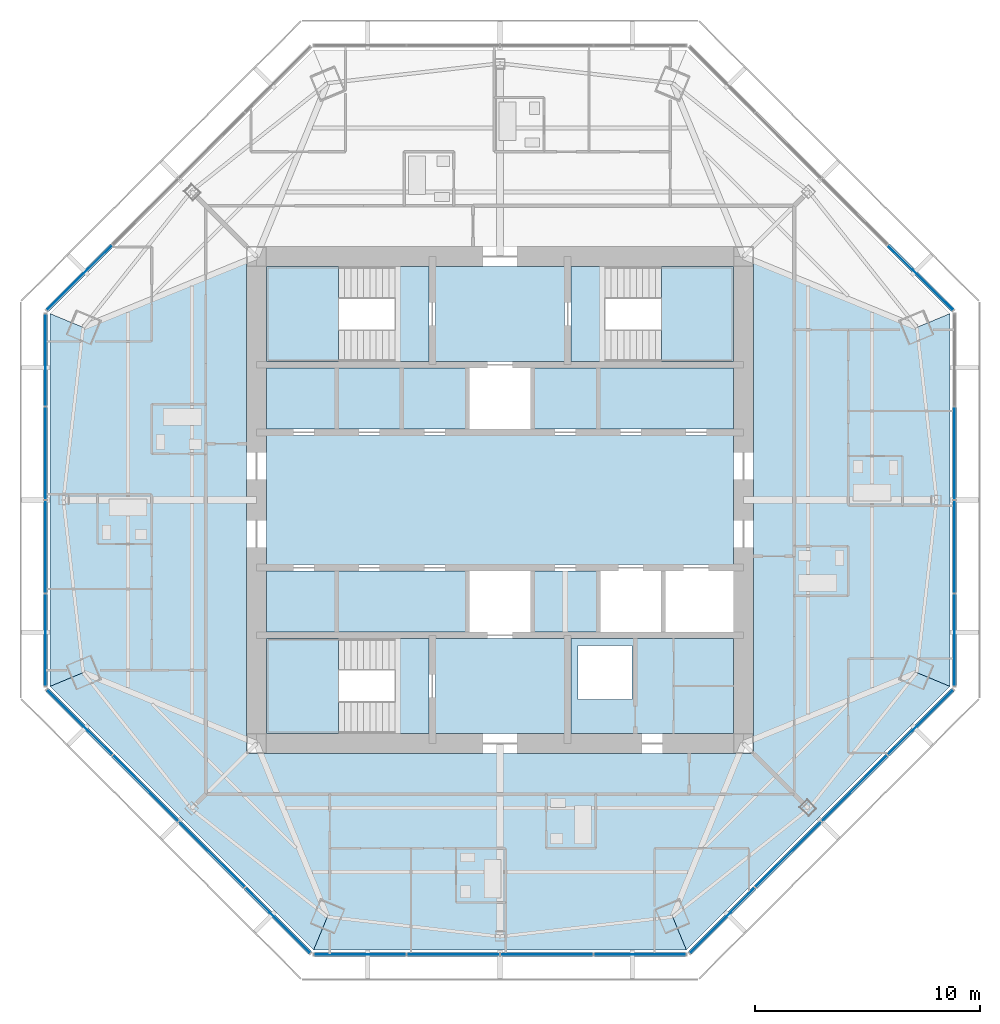
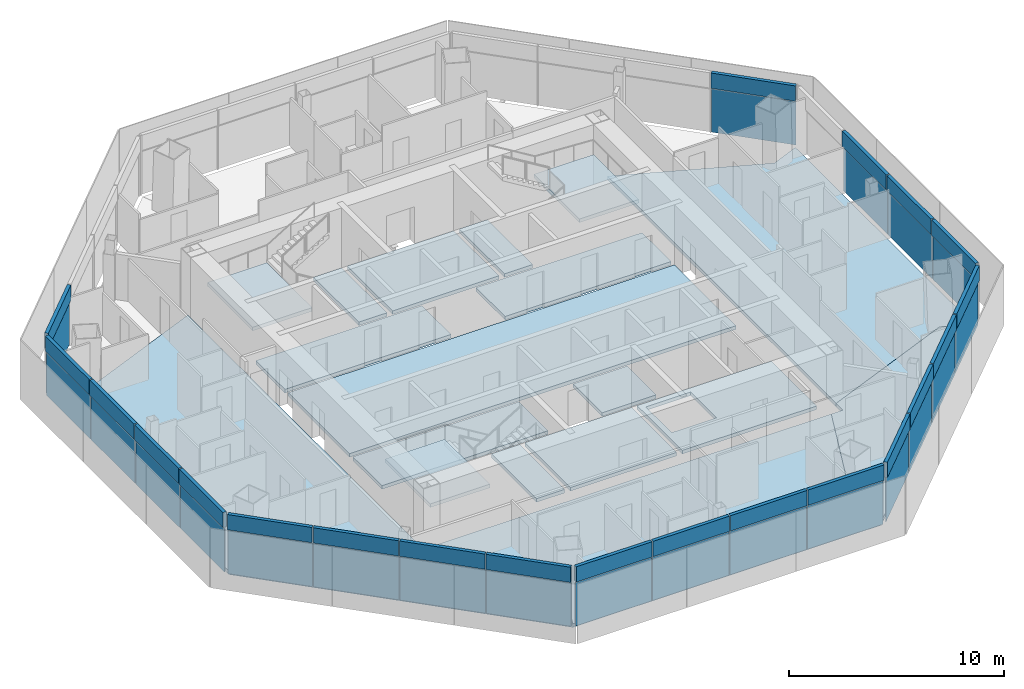
# One storey, part 8 of 15: 42 plates, 19 slabs, 10 elements without a shape of their own.
"""IFC4 building model written with IfcOpenShell, lengths in metres."""

from ifc_helpers import new_model, si_unit, direction, frame, origin, origin_2d, place, context, subcontext, project, spatial, polyline, rectangle, outline, extrude, source, transform, mapped, material, layer, layer_set, type_object, type_shapes, element, aggregate, save


model = new_model("IFC4")

# Units and contexts
model_context = context("Model", 3, precision=1e-05, world=origin(), true_north=direction((0.0, 1.0)))
body_context = subcontext(model_context, "Body", "Model", "MODEL_VIEW")
ifc_project = project(units=[si_unit("LENGTHUNIT", "METRE"), si_unit("AREAUNIT", "SQUARE_METRE"), si_unit("VOLUMEUNIT", "CUBIC_METRE"), si_unit("PLANEANGLEUNIT", "RADIAN"), si_unit("MASSUNIT", "GRAM", prefix="KILO")], contexts=[model_context])

# Site, building, storey
site_placement = place(None, origin())
site = spatial("IfcSite", under=ifc_project, at=site_placement, CompositionType="ELEMENT")
building_placement = place(site_placement, origin())
building = spatial("IfcBuilding", under=site, at=building_placement, Name="Mashrafa Tower", CompositionType="ELEMENT")
storey_placement = place(building_placement, frame((0.0, 0.0, 277.60009765625)))
storey = spatial("IfcBuildingStorey", under=building, at=storey_placement, Name="L67", CompositionType="ELEMENT", Elevation=277.60009765625)

# Slabs
ifc_material_1 = material(Name="Concrete C35/45", Category="concrete")
ifc_layer_1 = layer(ifc_material_1, 0.199951171875)
ifc_layer_set_1 = layer_set([ifc_layer_1], Name="Floor slab 200")
slab_type_1 = type_object("IfcSlabType", Name="Floor slab 200", PredefinedType="FLOOR", material=ifc_layer_set_1)
slab_1_placement = place(storey_placement, frame((0.0, 0.0, -0.2001953125)))
element("IfcSlab", 1, at=slab_1_placement, inside=storey, type_object=slab_type_1, Name="Floor slab L67 east bay", PredefinedType="FLOOR", context=body_context, shape_type="SweptSolid", body=[
    extrude(outline(polyline([(19.9619140625, -8.268310546875), (18.4892578125, -7.658447265625), (11.25, -10.6162109375), (11.25, 10.6162109375), (18.4892578125, 7.658447265625), (19.9619140625, 8.268310546875), (19.9619140625, -8.268310546875)])), origin(), (0.0, 0.0, 1.0), 0.2001953125),
])
slab_2_placement = place(storey_placement, frame((0.0, 0.0, -0.2001953125)))
element("IfcSlab", 2, at=slab_2_placement, inside=storey, type_object=slab_type_1, Name="Floor slab L67 west bay", PredefinedType="FLOOR", context=body_context, shape_type="SweptSolid", body=[
    extrude(outline(polyline([(-19.9619140625, 8.268310546875), (-18.4892578125, 7.658447265625), (-11.25, 10.6162109375), (-11.25, -10.6162109375), (-18.4892578125, -7.658447265625), (-19.9619140625, -8.268310546875), (-19.9619140625, 8.268310546875)])), origin(), (0.0, 0.0, 1.0), 0.2001953125),
])
slab_3_placement = place(storey_placement, frame((0.0, 0.0, -0.2001953125)))
element("IfcSlab", 3, at=slab_3_placement, inside=storey, type_object=slab_type_1, Name="Floor slab L67 south-west bay", PredefinedType="FLOOR", context=body_context, shape_type="SweptSolid", body=[
    extrude(outline(polyline([(-8.2685546875, -19.9619140625), (-19.9619140625, -8.2685546875), (-19.9619140625, -8.268310546875), (-18.4892578125, -7.658447265625), (-11.25, -10.6162109375), (-11.25, -11.25), (-10.6162109375, -11.25), (-7.658447265625, -18.4892578125), (-8.268310546875, -19.9619140625), (-8.2685546875, -19.9619140625)])), origin(), (0.0, 0.0, 1.0), 0.2001953125),
])
slab_4_placement = place(storey_placement, frame((0.0, 0.0, -0.2001953125)))
element("IfcSlab", 4, at=slab_4_placement, inside=storey, type_object=slab_type_1, Name="Floor slab L67 south bay", PredefinedType="FLOOR", context=body_context, shape_type="SweptSolid", body=[
    extrude(outline(polyline([(-8.268310546875, -19.9619140625), (-7.658447265625, -18.4892578125), (-10.6162109375, -11.25), (10.6162109375, -11.25), (7.658447265625, -18.4892578125), (8.268310546875, -19.9619140625), (-8.268310546875, -19.9619140625)])), origin(), (0.0, 0.0, 1.0), 0.2001953125),
])
slab_5_placement = place(storey_placement, frame((0.0, 0.0, -0.2001953125)))
element("IfcSlab", 5, at=slab_5_placement, inside=storey, type_object=slab_type_1, Name="Floor slab L67 south-east bay", PredefinedType="FLOOR", context=body_context, shape_type="SweptSolid", body=[
    extrude(outline(polyline([(8.268310546875, -19.9619140625), (7.658447265625, -18.4892578125), (10.6162109375, -11.25), (11.25, -11.25), (11.25, -10.6162109375), (18.4892578125, -7.658447265625), (19.9619140625, -8.268310546875), (19.9619140625, -8.2685546875), (8.2685546875, -19.9619140625), (8.268310546875, -19.9619140625)])), origin(), (0.0, 0.0, 1.0), 0.2001953125),
])
slab_6_placement = place(storey_placement, frame((0.0, 0.0, -0.2001953125)))
element("IfcSlab", 6, at=slab_6_placement, inside=storey, type_object=slab_type_1, Name="Core floor lift hall L67", PredefinedType="FLOOR", context=body_context, shape_type="SweptSolid", body=[
    extrude(outline(polyline([(-10.35009765625, 2.85009765625), (10.35009765625, 2.85009765625), (10.35009765625, -2.85009765625), (-10.35009765625, -2.85009765625), (-10.35009765625, 2.85009765625)])), origin(), (0.0, 0.0, 1.0), 0.2001953125),
])
slab_7_placement = place(storey_placement, frame((0.0, 0.0, -0.2001953125)))
element("IfcSlab", 7, at=slab_7_placement, inside=storey, type_object=slab_type_1, Name="Core floor riser and electrical band L67", PredefinedType="FLOOR", context=body_context, shape_type="SweptSolid", body=[
    extrude(outline(polyline([(10.35009765625, -6.14990234375), (10.35009765625, -10.35009765625), (3.14990234375, -10.35009765625), (3.14990234375, -6.14990234375), (10.35009765625, -6.14990234375)]), holes=[polyline([(3.449951171875, -8.85009765625), (5.85009765625, -8.85009765625), (5.85009765625, -6.449951171875), (3.449951171875, -6.449951171875), (3.449951171875, -8.85009765625)])]), origin(), (0.0, 0.0, 1.0), 0.2001953125),
])
slab_8_placement = place(storey_placement, frame((0.0, 0.0, -0.2001953125)))
element("IfcSlab", 8, at=slab_8_placement, inside=storey, type_object=slab_type_1, Name="Core floor lift cell L67", PredefinedType="FLOOR", context=body_context, shape_type="SweptSolid", body=[
    extrude(outline(polyline([(10.35009765625, 5.85009765625), (10.35009765625, 3.14990234375), (1.449951171875, 3.14990234375), (1.449951171875, 5.85009765625), (10.35009765625, 5.85009765625)])), origin(), (0.0, 0.0, 1.0), 0.2001953125),
])
slab_9_placement = place(storey_placement, frame((0.0, 0.0, -0.2001953125)))
element("IfcSlab", 9, at=slab_9_placement, inside=storey, type_object=slab_type_1, Name="Core floor lift cell L67", PredefinedType="FLOOR", context=body_context, shape_type="SweptSolid", body=[
    extrude(outline(polyline([(-1.449951171875, 3.14990234375), (-10.35009765625, 3.14990234375), (-10.35009765625, 5.85009765625), (-1.449951171875, 5.85009765625), (-1.449951171875, 3.14990234375)])), origin(), (0.0, 0.0, 1.0), 0.2001953125),
])
slab_10_placement = place(storey_placement, frame((0.0, 0.0, -0.2001953125)))
element("IfcSlab", 10, at=slab_10_placement, inside=storey, type_object=slab_type_1, Name="Core floor lift cell L67", PredefinedType="FLOOR", context=body_context, shape_type="SweptSolid", body=[
    extrude(outline(polyline([(-1.449951171875, -3.14990234375), (-1.449951171875, -5.85009765625), (-10.35009765625, -5.85009765625), (-10.35009765625, -3.14990234375), (-1.449951171875, -3.14990234375)])), origin(), (0.0, 0.0, 1.0), 0.2001953125),
])
slab_11_placement = place(storey_placement, frame((0.0, 0.0, -0.2001953125)))
element("IfcSlab", 11, at=slab_11_placement, inside=storey, type_object=slab_type_1, Name="Core floor fire-fighting lobby south L67", PredefinedType="FLOOR", context=body_context, shape_type="SweptSolid", body=[
    extrude(outline(polyline([(2.85009765625, -6.14990234375), (2.85009765625, -10.35009765625), (-2.85009765625, -10.35009765625), (-2.85009765625, -6.14990234375), (2.85009765625, -6.14990234375)])), origin(), (0.0, 0.0, 1.0), 0.2001953125),
])
slab_12_placement = place(storey_placement, frame((0.0, 0.0, -0.2001953125)))
element("IfcSlab", 12, at=slab_12_placement, inside=storey, type_object=slab_type_1, Name="Core floor fire-fighting lobby north L67", PredefinedType="FLOOR", context=body_context, shape_type="SweptSolid", body=[
    extrude(outline(polyline([(-2.85009765625, 10.35009765625), (2.85009765625, 10.35009765625), (2.85009765625, 6.14990234375), (-2.85009765625, 6.14990234375), (-2.85009765625, 10.35009765625)])), origin(), (0.0, 0.0, 1.0), 0.2001953125),
])
slab_13_placement = place(storey_placement, frame((0.0, 0.0, -0.2001953125)))
element("IfcSlab", 13, at=slab_13_placement, inside=storey, type_object=slab_type_1, Name="Core floor lift cell L67", PredefinedType="FLOOR", context=body_context, shape_type="SweptSolid", body=[
    extrude(outline(polyline([(4.35009765625, -3.14990234375), (4.35009765625, -5.85009765625), (1.449951171875, -5.85009765625), (1.449951171875, -3.14990234375), (4.35009765625, -3.14990234375)])), origin(), (0.0, 0.0, 1.0), 0.2001953125),
])

# Stair, slabs
ifc_material_2 = material(Name="Exit stair 1400")
stair_type = type_object("IfcStairType", Name="Exit stair 1400", PredefinedType="HALF_TURN_STAIR", material=ifc_material_2)
stair_1_placement = place(storey_placement, origin())
stair_1 = element("IfcStair", 14, at=stair_1_placement, inside=storey, type_object=stair_type, Name="Stair S1 L67", PredefinedType="HALF_TURN_STAIR")
ifc_material_3 = material(Name="Concrete C32/40", Category="concrete")
ifc_layer_2 = layer(ifc_material_3, 0.199951171875)
ifc_layer_set_2 = layer_set([ifc_layer_2], Name="Stair landing 200")
slab_type_2 = type_object("IfcSlabType", Name="Stair landing 200", PredefinedType="LANDING", material=ifc_layer_set_2)
slab_14_placement = place(storey_placement, frame((0.0, 0.0, -0.2001953125)))
slab_14 = element("IfcSlab", 15, at=slab_14_placement, type_object=slab_type_2, Name="S1 landing 1", PredefinedType="LANDING", context=body_context, shape_type="SweptSolid", body=[
    extrude(outline(polyline([(-4.659912109375, 6.14990234375), (-3.14990234375, 6.14990234375), (-3.14990234375, 10.35009765625), (-4.659912109375, 10.35009765625), (-4.659912109375, 6.14990234375)])), origin(), (0.0, 0.0, 1.0), 0.2001953125),
])
slab_15_placement = place(storey_placement, frame((0.0, 0.0, 1.5)))
slab_15 = element("IfcSlab", 16, at=slab_15_placement, type_object=slab_type_2, Name="S1 landing 2", PredefinedType="LANDING", context=body_context, shape_type="SweptSolid", body=[
    extrude(outline(polyline([(-10.35009765625, 6.14990234375), (-7.159912109375, 6.14990234375), (-7.159912109375, 10.35009765625), (-10.35009765625, 10.35009765625), (-10.35009765625, 6.14990234375)])), origin(), (0.0, 0.0, 1.0), 0.199951171875),
])
aggregate(stair_1, [slab_14, slab_15])

stair_2_placement = place(storey_placement, origin())
stair_2 = element("IfcStair", 17, at=stair_2_placement, inside=storey, type_object=stair_type, Name="Stair S2 L67", PredefinedType="HALF_TURN_STAIR")
slab_16_placement = place(storey_placement, frame((0.0, 0.0, -0.2001953125)))
slab_16 = element("IfcSlab", 18, at=slab_16_placement, type_object=slab_type_2, Name="S2 landing 1", PredefinedType="LANDING", context=body_context, shape_type="SweptSolid", body=[
    extrude(outline(polyline([(3.14990234375, 6.14990234375), (4.659912109375, 6.14990234375), (4.659912109375, 10.35009765625), (3.14990234375, 10.35009765625), (3.14990234375, 6.14990234375)])), origin(), (0.0, 0.0, 1.0), 0.2001953125),
])
slab_17_placement = place(storey_placement, frame((0.0, 0.0, 1.5)))
slab_17 = element("IfcSlab", 19, at=slab_17_placement, type_object=slab_type_2, Name="S2 landing 2", PredefinedType="LANDING", context=body_context, shape_type="SweptSolid", body=[
    extrude(outline(polyline([(7.159912109375, 6.14990234375), (10.35009765625, 6.14990234375), (10.35009765625, 10.35009765625), (7.159912109375, 10.35009765625), (7.159912109375, 6.14990234375)])), origin(), (0.0, 0.0, 1.0), 0.199951171875),
])
aggregate(stair_2, [slab_16, slab_17])

stair_3_placement = place(storey_placement, origin())
stair_3 = element("IfcStair", 20, at=stair_3_placement, inside=storey, type_object=stair_type, Name="Stair S3 L67", PredefinedType="HALF_TURN_STAIR")
slab_18_placement = place(storey_placement, frame((0.0, 0.0, -0.2001953125)))
slab_18 = element("IfcSlab", 21, at=slab_18_placement, type_object=slab_type_2, Name="S3 landing 1", PredefinedType="LANDING", context=body_context, shape_type="SweptSolid", body=[
    extrude(outline(polyline([(-4.659912109375, -10.35009765625), (-3.14990234375, -10.35009765625), (-3.14990234375, -6.14990234375), (-4.659912109375, -6.14990234375), (-4.659912109375, -10.35009765625)])), origin(), (0.0, 0.0, 1.0), 0.2001953125),
])
slab_19_placement = place(storey_placement, frame((0.0, 0.0, 1.5)))
slab_19 = element("IfcSlab", 22, at=slab_19_placement, type_object=slab_type_2, Name="S3 landing 2", PredefinedType="LANDING", context=body_context, shape_type="SweptSolid", body=[
    extrude(outline(polyline([(-10.35009765625, -10.35009765625), (-7.159912109375, -10.35009765625), (-7.159912109375, -6.14990234375), (-10.35009765625, -6.14990234375), (-10.35009765625, -10.35009765625)])), origin(), (0.0, 0.0, 1.0), 0.199951171875),
])
aggregate(stair_3, [slab_18, slab_19])

# Curtain wall, plate
ifc_material_4 = material(Name="Unitised aluminium curtain wall", Category="aluminium")
curtain_wall_type = type_object("IfcCurtainWallType", Name="Apartment curtain wall, zone 4 CW-D 160 deep", PredefinedType="NOTDEFINED", material=ifc_material_4)
curtain_wall_1_placement = place(storey_placement, origin())
curtain_wall_1 = element("IfcCurtainWall", 23, at=curtain_wall_1_placement, inside=storey, type_object=curtain_wall_type, Name="Apartment curtain wall, zone 4 L67 east", PredefinedType="NOTDEFINED")
ifc_material_5 = material(Name="Insulated double glazing, acoustic", Category="glass")
ifc_layer_3 = layer(ifc_material_5, 0.028076171875)
ifc_layer_set_3 = layer_set([ifc_layer_3], Name="Vision panel CW-D 28")
plate_type_1 = type_object("IfcPlateType", Name="Vision panel CW-D 28", PredefinedType="CURTAIN_PANEL", material=ifc_layer_set_3)
shared_shape_1 = source(origin(), body_context, "Body", "SweptSolid", [
    extrude(rectangle(XDim=4.06396484375, YDim=0.028076171875, at=origin_2d()), origin(), (0.0, 0.0, 1.0), 2.46240234375),
])
plate_1_placement = place(storey_placement, frame((20.161865234375, -6.216064453125, 0.0), z_axis=(0.0, 0.0, 1.0), x_axis=(0.0, 1.0, 0.0)))
plate_1 = element("IfcPlate", 24, at=plate_1_placement, type_object=plate_type_1, Name="CW-D vision panel 1", PredefinedType="CURTAIN_PANEL", context=body_context, shape_type="MappedRepresentation", body=[
    mapped(shared_shape_1, transform((0.0, 0.0, 0.0))),
])

curtain_wall_2_placement = place(storey_placement, origin())
curtain_wall_2 = element("IfcCurtainWall", 25, at=curtain_wall_2_placement, inside=storey, type_object=curtain_wall_type, Name="Apartment curtain wall, zone 4 L67 north-east", PredefinedType="NOTDEFINED")
plate_2_placement = place(storey_placement, frame((18.652099609375, 9.861083984375, 0.0), z_axis=(0.0, 0.0, 1.0), x_axis=(-0.707106781187, 0.707106781187, 0.0)))
plate_2 = element("IfcPlate", 26, at=plate_2_placement, type_object=plate_type_1, Name="CW-D vision panel 1", PredefinedType="CURTAIN_PANEL", context=body_context, shape_type="MappedRepresentation", body=[
    mapped(shared_shape_1, transform((0.0, 0.0, 0.0))),
])

curtain_wall_3_placement = place(storey_placement, origin())
curtain_wall_3 = element("IfcCurtainWall", 27, at=curtain_wall_3_placement, inside=storey, type_object=curtain_wall_type, Name="Apartment curtain wall, zone 4 L67 north-west", PredefinedType="NOTDEFINED")
plate_3_placement = place(storey_placement, frame((-18.652099609375, 9.861083984375, 0.0), z_axis=(0.0, 0.0, 1.0), x_axis=(-0.707106781187, -0.707106781187, 0.0)))
plate_3 = element("IfcPlate", 28, at=plate_3_placement, type_object=plate_type_1, Name="CW-D vision panel 4", PredefinedType="CURTAIN_PANEL", context=body_context, shape_type="MappedRepresentation", body=[
    mapped(shared_shape_1, transform((0.0, 0.0, 0.0))),
])

# Curtain wall, plates
curtain_wall_4_placement = place(storey_placement, origin())
curtain_wall_4 = element("IfcCurtainWall", 29, at=curtain_wall_4_placement, inside=storey, type_object=curtain_wall_type, Name="Apartment curtain wall, zone 4 L67 west", PredefinedType="NOTDEFINED")
plate_4_placement = place(storey_placement, frame((-20.161865234375, 6.216064453125, 0.0), z_axis=(0.0, 0.0, 1.0), x_axis=(0.0, -1.0, 0.0)))
plate_4 = element("IfcPlate", 30, at=plate_4_placement, type_object=plate_type_1, Name="CW-D vision panel 1", PredefinedType="CURTAIN_PANEL", context=body_context, shape_type="MappedRepresentation", body=[
    mapped(shared_shape_1, transform((0.0, 0.0, 0.0))),
])
plate_5_placement = place(storey_placement, frame((-20.161865234375, -6.216064453125, 0.0), z_axis=(0.0, 0.0, 1.0), x_axis=(0.0, -1.0, 0.0)))
plate_5 = element("IfcPlate", 31, at=plate_5_placement, type_object=plate_type_1, Name="CW-D vision panel 4", PredefinedType="CURTAIN_PANEL", context=body_context, shape_type="MappedRepresentation", body=[
    mapped(shared_shape_1, transform((0.0, 0.0, 0.0))),
])

curtain_wall_5_placement = place(storey_placement, origin())
curtain_wall_5 = element("IfcCurtainWall", 32, at=curtain_wall_5_placement, inside=storey, type_object=curtain_wall_type, Name="Apartment curtain wall, zone 4 L67 south-west", PredefinedType="NOTDEFINED")
plate_6_placement = place(storey_placement, frame((-18.652099609375, -9.861083984375, 0.0), z_axis=(0.0, 0.0, 1.0), x_axis=(0.707106781187, -0.707106781187, 0.0)))
plate_6 = element("IfcPlate", 33, at=plate_6_placement, type_object=plate_type_1, Name="CW-D vision panel 1", PredefinedType="CURTAIN_PANEL", context=body_context, shape_type="MappedRepresentation", body=[
    mapped(shared_shape_1, transform((0.0, 0.0, 0.0))),
])
plate_7_placement = place(storey_placement, frame((-9.861083984375, -18.652099609375, 0.0), z_axis=(0.0, 0.0, 1.0), x_axis=(0.707106781187, -0.707106781187, 0.0)))
plate_7 = element("IfcPlate", 34, at=plate_7_placement, type_object=plate_type_1, Name="CW-D vision panel 4", PredefinedType="CURTAIN_PANEL", context=body_context, shape_type="MappedRepresentation", body=[
    mapped(shared_shape_1, transform((0.0, 0.0, 0.0))),
])

curtain_wall_6_placement = place(storey_placement, origin())
curtain_wall_6 = element("IfcCurtainWall", 35, at=curtain_wall_6_placement, inside=storey, type_object=curtain_wall_type, Name="Apartment curtain wall, zone 4 L67 south", PredefinedType="NOTDEFINED")
plate_8_placement = place(storey_placement, frame((-6.216064453125, -20.161865234375, 0.0), z_axis=(0.0, 0.0, 1.0), x_axis=(1.0, 0.0, 0.0)))
plate_8 = element("IfcPlate", 36, at=plate_8_placement, type_object=plate_type_1, Name="CW-D vision panel 1", PredefinedType="CURTAIN_PANEL", context=body_context, shape_type="MappedRepresentation", body=[
    mapped(shared_shape_1, transform((0.0, 0.0, 0.0))),
])
plate_9_placement = place(storey_placement, frame((6.216064453125, -20.161865234375, 0.0), z_axis=(0.0, 0.0, 1.0), x_axis=(1.0, 0.0, 0.0)))
plate_9 = element("IfcPlate", 37, at=plate_9_placement, type_object=plate_type_1, Name="CW-D vision panel 4", PredefinedType="CURTAIN_PANEL", context=body_context, shape_type="MappedRepresentation", body=[
    mapped(shared_shape_1, transform((0.0, 0.0, 0.0))),
])

curtain_wall_7_placement = place(storey_placement, origin())
curtain_wall_7 = element("IfcCurtainWall", 38, at=curtain_wall_7_placement, inside=storey, type_object=curtain_wall_type, Name="Apartment curtain wall, zone 4 L67 south-east", PredefinedType="NOTDEFINED")
plate_10_placement = place(storey_placement, frame((9.861083984375, -18.652099609375, 0.0), z_axis=(0.0, 0.0, 1.0), x_axis=(0.707106781187, 0.707106781187, 0.0)))
plate_10 = element("IfcPlate", 39, at=plate_10_placement, type_object=plate_type_1, Name="CW-D vision panel 1", PredefinedType="CURTAIN_PANEL", context=body_context, shape_type="MappedRepresentation", body=[
    mapped(shared_shape_1, transform((0.0, 0.0, 0.0))),
])
plate_11_placement = place(storey_placement, frame((18.652099609375, -9.861083984375, 0.0), z_axis=(0.0, 0.0, 1.0), x_axis=(0.707106781187, 0.707106781187, 0.0)))
plate_11 = element("IfcPlate", 40, at=plate_11_placement, type_object=plate_type_1, Name="CW-D vision panel 4", PredefinedType="CURTAIN_PANEL", context=body_context, shape_type="MappedRepresentation", body=[
    mapped(shared_shape_1, transform((0.0, 0.0, 0.0))),
])

# Plate
ifc_material_6 = material(Name="Insulated bronze aluminium spandrel panel", Category="aluminium")
ifc_layer_4 = layer(ifc_material_6, 0.179931640625)
ifc_layer_set_4 = layer_set([ifc_layer_4], Name="Spandrel panel CW-D 180")
plate_type_2 = type_object("IfcPlateType", Name="Spandrel panel CW-D 180", PredefinedType="CURTAIN_PANEL", material=ifc_layer_set_4)
shared_shape_2 = source(origin(), body_context, "Body", "SweptSolid", [
    extrude(rectangle(XDim=4.06396484375, YDim=0.179931640625, at=origin_2d()), origin(), (0.0, 0.0, 1.0), 0.862548828125),
])
plate_12_placement = place(storey_placement, frame((20.161865234375, -6.216064453125, 2.53759765625), z_axis=(0.0, 0.0, 1.0), x_axis=(0.0, 1.0, 0.0)))
plate_12 = element("IfcPlate", 41, at=plate_12_placement, type_object=plate_type_2, Name="CW-D spandrel panel 1", PredefinedType="CURTAIN_PANEL", context=body_context, shape_type="MappedRepresentation", body=[
    mapped(shared_shape_2, transform((0.0, 0.0, 0.0))),
])

plate_13_placement = place(storey_placement, frame((18.652099609375, 9.861083984375, 2.53759765625), z_axis=(0.0, 0.0, 1.0), x_axis=(-0.707106781187, 0.707106781187, 0.0)))
plate_13 = element("IfcPlate", 42, at=plate_13_placement, type_object=plate_type_2, Name="CW-D spandrel panel 1", PredefinedType="CURTAIN_PANEL", context=body_context, shape_type="MappedRepresentation", body=[
    mapped(shared_shape_2, transform((0.0, 0.0, 0.0))),
])

aggregate(curtain_wall_2, [plate_2, plate_13])

plate_14_placement = place(storey_placement, frame((-18.652099609375, 9.861083984375, 2.53759765625), z_axis=(0.0, 0.0, 1.0), x_axis=(-0.707106781187, -0.707106781187, 0.0)))
plate_14 = element("IfcPlate", 43, at=plate_14_placement, type_object=plate_type_2, Name="CW-D spandrel panel 4", PredefinedType="CURTAIN_PANEL", context=body_context, shape_type="MappedRepresentation", body=[
    mapped(shared_shape_2, transform((0.0, 0.0, 0.0))),
])

aggregate(curtain_wall_3, [plate_3, plate_14])

plate_15_placement = place(storey_placement, frame((-20.161865234375, 6.216064453125, 2.53759765625), z_axis=(0.0, 0.0, 1.0), x_axis=(0.0, -1.0, 0.0)))
plate_15 = element("IfcPlate", 44, at=plate_15_placement, type_object=plate_type_2, Name="CW-D spandrel panel 1", PredefinedType="CURTAIN_PANEL", context=body_context, shape_type="MappedRepresentation", body=[
    mapped(shared_shape_2, transform((0.0, 0.0, 0.0))),
])

plate_16_placement = place(storey_placement, frame((-20.161865234375, -6.216064453125, 2.53759765625), z_axis=(0.0, 0.0, 1.0), x_axis=(0.0, -1.0, 0.0)))
plate_16 = element("IfcPlate", 45, at=plate_16_placement, type_object=plate_type_2, Name="CW-D spandrel panel 4", PredefinedType="CURTAIN_PANEL", context=body_context, shape_type="MappedRepresentation", body=[
    mapped(shared_shape_2, transform((0.0, 0.0, 0.0))),
])

plate_17_placement = place(storey_placement, frame((-18.652099609375, -9.861083984375, 2.53759765625), z_axis=(0.0, 0.0, 1.0), x_axis=(0.707106781187, -0.707106781187, 0.0)))
plate_17 = element("IfcPlate", 46, at=plate_17_placement, type_object=plate_type_2, Name="CW-D spandrel panel 1", PredefinedType="CURTAIN_PANEL", context=body_context, shape_type="MappedRepresentation", body=[
    mapped(shared_shape_2, transform((0.0, 0.0, 0.0))),
])

plate_18_placement = place(storey_placement, frame((-9.861083984375, -18.652099609375, 2.53759765625), z_axis=(0.0, 0.0, 1.0), x_axis=(0.707106781187, -0.707106781187, 0.0)))
plate_18 = element("IfcPlate", 47, at=plate_18_placement, type_object=plate_type_2, Name="CW-D spandrel panel 4", PredefinedType="CURTAIN_PANEL", context=body_context, shape_type="MappedRepresentation", body=[
    mapped(shared_shape_2, transform((0.0, 0.0, 0.0))),
])

plate_19_placement = place(storey_placement, frame((-6.216064453125, -20.161865234375, 2.53759765625), z_axis=(0.0, 0.0, 1.0), x_axis=(1.0, 0.0, 0.0)))
plate_19 = element("IfcPlate", 48, at=plate_19_placement, type_object=plate_type_2, Name="CW-D spandrel panel 1", PredefinedType="CURTAIN_PANEL", context=body_context, shape_type="MappedRepresentation", body=[
    mapped(shared_shape_2, transform((0.0, 0.0, 0.0))),
])

plate_20_placement = place(storey_placement, frame((6.216064453125, -20.161865234375, 2.53759765625), z_axis=(0.0, 0.0, 1.0), x_axis=(1.0, 0.0, 0.0)))
plate_20 = element("IfcPlate", 49, at=plate_20_placement, type_object=plate_type_2, Name="CW-D spandrel panel 4", PredefinedType="CURTAIN_PANEL", context=body_context, shape_type="MappedRepresentation", body=[
    mapped(shared_shape_2, transform((0.0, 0.0, 0.0))),
])

plate_21_placement = place(storey_placement, frame((9.861083984375, -18.652099609375, 2.53759765625), z_axis=(0.0, 0.0, 1.0), x_axis=(0.707106781187, 0.707106781187, 0.0)))
plate_21 = element("IfcPlate", 50, at=plate_21_placement, type_object=plate_type_2, Name="CW-D spandrel panel 1", PredefinedType="CURTAIN_PANEL", context=body_context, shape_type="MappedRepresentation", body=[
    mapped(shared_shape_2, transform((0.0, 0.0, 0.0))),
])

plate_22_placement = place(storey_placement, frame((18.652099609375, -9.861083984375, 2.53759765625), z_axis=(0.0, 0.0, 1.0), x_axis=(0.707106781187, 0.707106781187, 0.0)))
plate_22 = element("IfcPlate", 51, at=plate_22_placement, type_object=plate_type_2, Name="CW-D spandrel panel 4", PredefinedType="CURTAIN_PANEL", context=body_context, shape_type="MappedRepresentation", body=[
    mapped(shared_shape_2, transform((0.0, 0.0, 0.0))),
])

shared_shape_3 = source(origin(), body_context, "Body", "SweptSolid", [
    extrude(rectangle(XDim=4.093994140625, YDim=0.028076171875, at=origin_2d()), origin(), (0.0, 0.0, 1.0), 2.46240234375),
])
type_shapes(plate_type_1, [shared_shape_1, shared_shape_3])
plate_23_placement = place(storey_placement, frame((20.161865234375, -2.0771484375, 0.0), z_axis=(0.0, 0.0, 1.0), x_axis=(0.0, 1.0, 0.0)))
plate_23 = element("IfcPlate", 52, at=plate_23_placement, type_object=plate_type_1, Name="CW-D vision panel 2", PredefinedType="CURTAIN_PANEL", context=body_context, shape_type="MappedRepresentation", body=[
    mapped(shared_shape_3, transform((0.0, 0.0, 0.0))),
])

plate_24_placement = place(storey_placement, frame((20.161865234375, 2.0771484375, 0.0), z_axis=(0.0, 0.0, 1.0), x_axis=(0.0, 1.0, 0.0)))
plate_24 = element("IfcPlate", 53, at=plate_24_placement, type_object=plate_type_1, Name="CW-D vision panel 3", PredefinedType="CURTAIN_PANEL", context=body_context, shape_type="MappedRepresentation", body=[
    mapped(shared_shape_3, transform((0.0, 0.0, 0.0))),
])

plate_25_placement = place(storey_placement, frame((-20.161865234375, 2.0771484375, 0.0), z_axis=(0.0, 0.0, 1.0), x_axis=(0.0, -1.0, 0.0)))
plate_25 = element("IfcPlate", 54, at=plate_25_placement, type_object=plate_type_1, Name="CW-D vision panel 2", PredefinedType="CURTAIN_PANEL", context=body_context, shape_type="MappedRepresentation", body=[
    mapped(shared_shape_3, transform((0.0, 0.0, 0.0))),
])

plate_26_placement = place(storey_placement, frame((-20.161865234375, -2.0771484375, 0.0), z_axis=(0.0, 0.0, 1.0), x_axis=(0.0, -1.0, 0.0)))
plate_26 = element("IfcPlate", 55, at=plate_26_placement, type_object=plate_type_1, Name="CW-D vision panel 3", PredefinedType="CURTAIN_PANEL", context=body_context, shape_type="MappedRepresentation", body=[
    mapped(shared_shape_3, transform((0.0, 0.0, 0.0))),
])

plate_27_placement = place(storey_placement, frame((-15.725341796875, -12.787841796875, 0.0), z_axis=(0.0, 0.0, 1.0), x_axis=(0.707106781187, -0.707106781187, 0.0)))
plate_27 = element("IfcPlate", 56, at=plate_27_placement, type_object=plate_type_1, Name="CW-D vision panel 2", PredefinedType="CURTAIN_PANEL", context=body_context, shape_type="MappedRepresentation", body=[
    mapped(shared_shape_3, transform((0.0, 0.0, 0.0))),
])

plate_28_placement = place(storey_placement, frame((-12.787841796875, -15.725341796875, 0.0), z_axis=(0.0, 0.0, 1.0), x_axis=(0.707106781187, -0.707106781187, 0.0)))
plate_28 = element("IfcPlate", 57, at=plate_28_placement, type_object=plate_type_1, Name="CW-D vision panel 3", PredefinedType="CURTAIN_PANEL", context=body_context, shape_type="MappedRepresentation", body=[
    mapped(shared_shape_3, transform((0.0, 0.0, 0.0))),
])

plate_29_placement = place(storey_placement, frame((-2.0771484375, -20.161865234375, 0.0), z_axis=(0.0, 0.0, 1.0), x_axis=(1.0, 0.0, 0.0)))
plate_29 = element("IfcPlate", 58, at=plate_29_placement, type_object=plate_type_1, Name="CW-D vision panel 2", PredefinedType="CURTAIN_PANEL", context=body_context, shape_type="MappedRepresentation", body=[
    mapped(shared_shape_3, transform((0.0, 0.0, 0.0))),
])

plate_30_placement = place(storey_placement, frame((2.0771484375, -20.161865234375, 0.0), z_axis=(0.0, 0.0, 1.0), x_axis=(1.0, 0.0, 0.0)))
plate_30 = element("IfcPlate", 59, at=plate_30_placement, type_object=plate_type_1, Name="CW-D vision panel 3", PredefinedType="CURTAIN_PANEL", context=body_context, shape_type="MappedRepresentation", body=[
    mapped(shared_shape_3, transform((0.0, 0.0, 0.0))),
])

plate_31_placement = place(storey_placement, frame((12.787841796875, -15.725341796875, 0.0), z_axis=(0.0, 0.0, 1.0), x_axis=(0.707106781187, 0.707106781187, 0.0)))
plate_31 = element("IfcPlate", 60, at=plate_31_placement, type_object=plate_type_1, Name="CW-D vision panel 2", PredefinedType="CURTAIN_PANEL", context=body_context, shape_type="MappedRepresentation", body=[
    mapped(shared_shape_3, transform((0.0, 0.0, 0.0))),
])

plate_32_placement = place(storey_placement, frame((15.725341796875, -12.787841796875, 0.0), z_axis=(0.0, 0.0, 1.0), x_axis=(0.707106781187, 0.707106781187, 0.0)))
plate_32 = element("IfcPlate", 61, at=plate_32_placement, type_object=plate_type_1, Name="CW-D vision panel 3", PredefinedType="CURTAIN_PANEL", context=body_context, shape_type="MappedRepresentation", body=[
    mapped(shared_shape_3, transform((0.0, 0.0, 0.0))),
])

shared_shape_4 = source(origin(), body_context, "Body", "SweptSolid", [
    extrude(rectangle(XDim=4.093994140625, YDim=0.179931640625, at=origin_2d()), origin(), (0.0, 0.0, 1.0), 0.862548828125),
])
type_shapes(plate_type_2, [shared_shape_2, shared_shape_4])
plate_33_placement = place(storey_placement, frame((20.161865234375, -2.0771484375, 2.53759765625), z_axis=(0.0, 0.0, 1.0), x_axis=(0.0, 1.0, 0.0)))
plate_33 = element("IfcPlate", 62, at=plate_33_placement, type_object=plate_type_2, Name="CW-D spandrel panel 2", PredefinedType="CURTAIN_PANEL", context=body_context, shape_type="MappedRepresentation", body=[
    mapped(shared_shape_4, transform((0.0, 0.0, 0.0))),
])

plate_34_placement = place(storey_placement, frame((20.161865234375, 2.0771484375, 2.53759765625), z_axis=(0.0, 0.0, 1.0), x_axis=(0.0, 1.0, 0.0)))
plate_34 = element("IfcPlate", 63, at=plate_34_placement, type_object=plate_type_2, Name="CW-D spandrel panel 3", PredefinedType="CURTAIN_PANEL", context=body_context, shape_type="MappedRepresentation", body=[
    mapped(shared_shape_4, transform((0.0, 0.0, 0.0))),
])

aggregate(curtain_wall_1, [plate_1, plate_12, plate_23, plate_33, plate_24, plate_34])

plate_35_placement = place(storey_placement, frame((-20.161865234375, 2.0771484375, 2.53759765625), z_axis=(0.0, 0.0, 1.0), x_axis=(0.0, -1.0, 0.0)))
plate_35 = element("IfcPlate", 64, at=plate_35_placement, type_object=plate_type_2, Name="CW-D spandrel panel 2", PredefinedType="CURTAIN_PANEL", context=body_context, shape_type="MappedRepresentation", body=[
    mapped(shared_shape_4, transform((0.0, 0.0, 0.0))),
])

plate_36_placement = place(storey_placement, frame((-20.161865234375, -2.0771484375, 2.53759765625), z_axis=(0.0, 0.0, 1.0), x_axis=(0.0, -1.0, 0.0)))
plate_36 = element("IfcPlate", 65, at=plate_36_placement, type_object=plate_type_2, Name="CW-D spandrel panel 3", PredefinedType="CURTAIN_PANEL", context=body_context, shape_type="MappedRepresentation", body=[
    mapped(shared_shape_4, transform((0.0, 0.0, 0.0))),
])

aggregate(curtain_wall_4, [plate_4, plate_15, plate_25, plate_35, plate_26, plate_36, plate_5, plate_16])

plate_37_placement = place(storey_placement, frame((-15.725341796875, -12.787841796875, 2.53759765625), z_axis=(0.0, 0.0, 1.0), x_axis=(0.707106781187, -0.707106781187, 0.0)))
plate_37 = element("IfcPlate", 66, at=plate_37_placement, type_object=plate_type_2, Name="CW-D spandrel panel 2", PredefinedType="CURTAIN_PANEL", context=body_context, shape_type="MappedRepresentation", body=[
    mapped(shared_shape_4, transform((0.0, 0.0, 0.0))),
])

plate_38_placement = place(storey_placement, frame((-12.787841796875, -15.725341796875, 2.53759765625), z_axis=(0.0, 0.0, 1.0), x_axis=(0.707106781187, -0.707106781187, 0.0)))
plate_38 = element("IfcPlate", 67, at=plate_38_placement, type_object=plate_type_2, Name="CW-D spandrel panel 3", PredefinedType="CURTAIN_PANEL", context=body_context, shape_type="MappedRepresentation", body=[
    mapped(shared_shape_4, transform((0.0, 0.0, 0.0))),
])

aggregate(curtain_wall_5, [plate_6, plate_17, plate_27, plate_37, plate_28, plate_38, plate_7, plate_18])

plate_39_placement = place(storey_placement, frame((-2.0771484375, -20.161865234375, 2.53759765625), z_axis=(0.0, 0.0, 1.0), x_axis=(1.0, 0.0, 0.0)))
plate_39 = element("IfcPlate", 68, at=plate_39_placement, type_object=plate_type_2, Name="CW-D spandrel panel 2", PredefinedType="CURTAIN_PANEL", context=body_context, shape_type="MappedRepresentation", body=[
    mapped(shared_shape_4, transform((0.0, 0.0, 0.0))),
])

plate_40_placement = place(storey_placement, frame((2.0771484375, -20.161865234375, 2.53759765625), z_axis=(0.0, 0.0, 1.0), x_axis=(1.0, 0.0, 0.0)))
plate_40 = element("IfcPlate", 69, at=plate_40_placement, type_object=plate_type_2, Name="CW-D spandrel panel 3", PredefinedType="CURTAIN_PANEL", context=body_context, shape_type="MappedRepresentation", body=[
    mapped(shared_shape_4, transform((0.0, 0.0, 0.0))),
])

aggregate(curtain_wall_6, [plate_8, plate_19, plate_29, plate_39, plate_30, plate_40, plate_9, plate_20])

plate_41_placement = place(storey_placement, frame((12.787841796875, -15.725341796875, 2.53759765625), z_axis=(0.0, 0.0, 1.0), x_axis=(0.707106781187, 0.707106781187, 0.0)))
plate_41 = element("IfcPlate", 70, at=plate_41_placement, type_object=plate_type_2, Name="CW-D spandrel panel 2", PredefinedType="CURTAIN_PANEL", context=body_context, shape_type="MappedRepresentation", body=[
    mapped(shared_shape_4, transform((0.0, 0.0, 0.0))),
])

plate_42_placement = place(storey_placement, frame((15.725341796875, -12.787841796875, 2.53759765625), z_axis=(0.0, 0.0, 1.0), x_axis=(0.707106781187, 0.707106781187, 0.0)))
plate_42 = element("IfcPlate", 71, at=plate_42_placement, type_object=plate_type_2, Name="CW-D spandrel panel 3", PredefinedType="CURTAIN_PANEL", context=body_context, shape_type="MappedRepresentation", body=[
    mapped(shared_shape_4, transform((0.0, 0.0, 0.0))),
])

aggregate(curtain_wall_7, [plate_10, plate_21, plate_31, plate_41, plate_32, plate_42, plate_11, plate_22])

save(model, "model.ifc")
